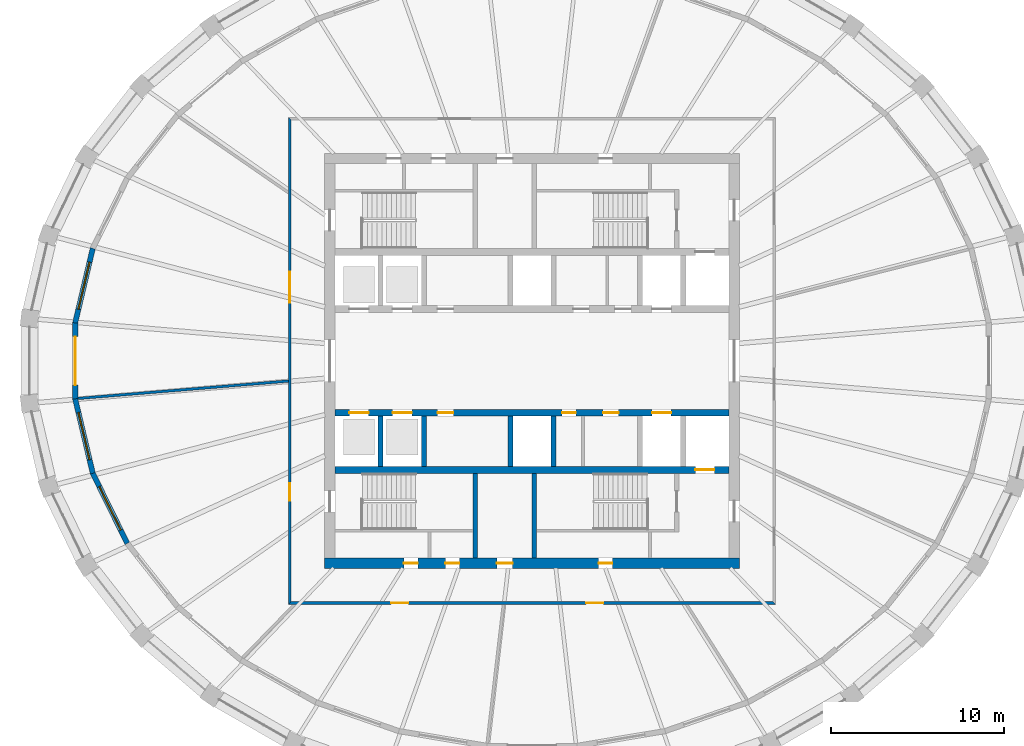
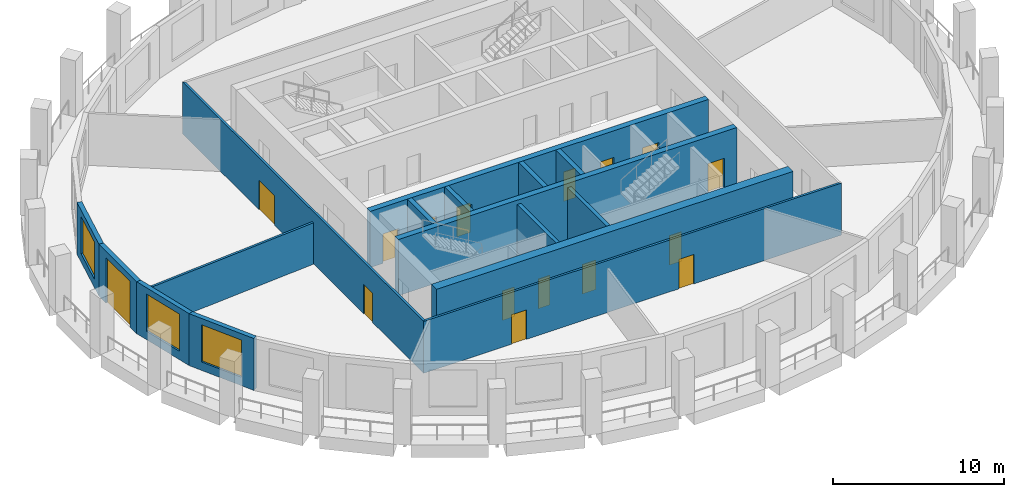
# One storey, part 3 of 10: 16 doors, 16 walls, 3 windows, 19 openings.
"""IFC4 building model written with IfcOpenShell, lengths in metres."""

from ifc_helpers import new_model, si_unit, direction, frame, frame_2d, origin, place, context, subcontext, project, spatial, polyline, rectangle, outline, extrude, material, layer, layer_set, type_object, element, fill, save


model = new_model("IFC4")

# Units and contexts
model_context = context("Model", 3, precision=1e-05, world=origin(), true_north=direction((0.0, 1.0)))
body_context = subcontext(model_context, "Body", "Model", "MODEL_VIEW")
ifc_project = project(units=[si_unit("LENGTHUNIT", "METRE"), si_unit("AREAUNIT", "SQUARE_METRE"), si_unit("VOLUMEUNIT", "CUBIC_METRE"), si_unit("PLANEANGLEUNIT", "RADIAN"), si_unit("MASSUNIT", "GRAM", prefix="KILO")], contexts=[model_context])

# Site, building, storey
site_placement = place(None, origin())
site = spatial("IfcSite", under=ifc_project, at=site_placement, CompositionType="ELEMENT")
building_placement = place(site_placement, origin())
building = spatial("IfcBuilding", under=site, at=building_placement, Name="Halqa Exchange Tower", CompositionType="ELEMENT")
storey_placement = place(building_placement, frame((0.0, 0.0, 296.300048828125)))
storey = spatial("IfcBuildingStorey", under=building, at=storey_placement, Name="L69", CompositionType="ELEMENT", Elevation=296.300048828125)

# Wall, openings, doors
ifc_material_1 = material(Name="Fire-rated gypsum board")
ifc_layer_1 = layer(ifc_material_1, 0.14990234375)
ifc_layer_set_1 = layer_set([ifc_layer_1], Name="Fire-rated gypsum board")
wall_type_1 = type_object("IfcWallType", Name="Fire partition EI 60 150", PredefinedType="PARTITIONING", material=ifc_layer_set_1)
wall_1_placement = place(storey_placement, frame((-14.0, -14.074951171875, 0.0), z_axis=(0.0, 0.0, 1.0), x_axis=(0.0, 1.0, 0.0)))
wall_1 = element("IfcWall", 1, at=wall_1_placement, inside=storey, type_object=wall_type_1, Name="L69-PWL-002", PredefinedType="PARTITIONING", context=body_context, shape_type="SweptSolid", body=[
    extrude(outline(polyline([(0.14990234375, -0.074951171875), (2.13916015625, -0.074951171875), (4.12841796875, -0.074951171875), (6.11767578125, -0.074951171875), (8.107177734375, -0.074951171875), (10.096435546875, -0.074951171875), (12.085693359375, -0.074951171875), (14.074951171875, -0.074951171875), (16.064208984375, -0.074951171875), (18.053466796875, -0.074951171875), (20.042724609375, -0.074951171875), (22.0322265625, -0.074951171875), (24.021484375, -0.074951171875), (26.0107421875, -0.074951171875), (28.0, -0.074951171875), (28.14990234375, 0.074951171875), (26.273193359375, 0.074951171875), (24.396484375, 0.074951171875), (22.52001953125, 0.074951171875), (20.643310546875, 0.074951171875), (18.7666015625, 0.074951171875), (16.889892578125, 0.074951171875), (15.01318359375, 0.074951171875), (13.13671875, 0.074951171875), (11.260009765625, 0.074951171875), (9.38330078125, 0.074951171875), (7.506591796875, 0.074951171875), (5.6298828125, 0.074951171875), (3.75341796875, 0.074951171875), (1.876708984375, 0.074951171875), (0.0, 0.074951171875), (0.14990234375, -0.074951171875)])), origin(), (0.0, 0.0, 1.0), 3.699951171875),
])
opening_1_placement = place(wall_1_placement, frame((17.429931640625, 0.0, 0.0)))
opening_1 = element("IfcOpeningElement", 2, at=opening_1_placement, cuts=wall_1, Name="Opening 21-01", PredefinedType="OPENING", context=body_context, shape_type="SweptSolid", body=[
    extrude(rectangle(XDim=1.800048828125, YDim=2.10009765625, at=frame_2d((0.89990234375, 1.050048828125))), frame((0.0, 0.0869140625, 0.0), z_axis=(0.0, -1.0, 0.0), x_axis=(1.0, 0.0, 0.0)), (0.0, 0.0, 1.0), 0.173828125),
])
opening_2_placement = place(wall_1_placement, frame((5.9951171875, 0.0, 0.0)))
opening_2 = element("IfcOpeningElement", 3, at=opening_2_placement, cuts=wall_1, Name="Opening 21-02", PredefinedType="OPENING", context=body_context, shape_type="SweptSolid", body=[
    extrude(rectangle(XDim=1.0, YDim=2.10009765625, at=frame_2d((0.5, 1.050048828125))), frame((0.0, 0.0869140625, 0.0), z_axis=(0.0, -1.0, 0.0), x_axis=(1.0, 0.0, 0.0)), (0.0, 0.0, 1.0), 0.173828125),
])
ifc_material_2 = material(Name="Steel fire door leaf", Category="steel")
door_type_1 = type_object("IfcDoorType", Name="Fire door FD30S 1000 x 2100", OperationType="SINGLE_SWING_LEFT", PredefinedType="DOOR", material=ifc_material_2)
door_1_placement = place(opening_2_placement, origin())
door_1 = element("IfcDoor", 4, at=door_1_placement, inside=storey, type_object=door_type_1, Name="L69-IDR-002", OperationType="SINGLE_SWING_LEFT", OverallHeight=2.10009765625, OverallWidth=1.0, PredefinedType="DOOR", context=body_context, shape_type="SweptSolid", body=[
    extrude(rectangle(XDim=1.0, YDim=2.10009765625, at=frame_2d((0.5, 1.050048828125))), frame((0.0, 0.02490234375, 0.0), z_axis=(0.0, -1.0, 0.0), x_axis=(1.0, 0.0, 0.0)), (0.0, 0.0, 1.0), 0.050048828125),
])
fill(opening_2, door_1)
door_type_2 = type_object("IfcDoorType", Name="Fire door FD30S double 1800 x 2100", OperationType="DOUBLE_DOOR_SINGLE_SWING", PredefinedType="DOOR", material=ifc_material_2)
door_2_placement = place(opening_1_placement, origin())
door_2 = element("IfcDoor", 5, at=door_2_placement, inside=storey, type_object=door_type_2, Name="L69-IDR-001", OperationType="DOUBLE_DOOR_SINGLE_SWING", OverallHeight=2.10009765625, OverallWidth=1.800048828125, PredefinedType="DOOR", context=body_context, shape_type="SweptSolid", body=[
    extrude(rectangle(XDim=1.800048828125, YDim=2.10009765625, at=frame_2d((0.89990234375, 1.050048828125))), frame((0.0, 0.02490234375, 0.0), z_axis=(0.0, -1.0, 0.0), x_axis=(1.0, 0.0, 0.0)), (0.0, 0.0, 1.0), 0.050048828125),
])
fill(opening_1, door_2)

wall_2_placement = place(storey_placement, frame((-14.074951171875, -14.0, 0.0), z_axis=(0.0, 0.0, 1.0), x_axis=(1.0, 0.0, 0.0)))
wall_2 = element("IfcWall", 6, at=wall_2_placement, inside=storey, type_object=wall_type_1, Name="L69-PWL-003", PredefinedType="PARTITIONING", context=body_context, shape_type="SweptSolid", body=[
    extrude(outline(polyline([(0.0, -0.074951171875), (1.876708984375, -0.074951171875), (3.75341796875, -0.074951171875), (5.6298828125, -0.074951171875), (7.506591796875, -0.074951171875), (9.38330078125, -0.074951171875), (11.260009765625, -0.074951171875), (13.13671875, -0.074951171875), (15.01318359375, -0.074951171875), (16.889892578125, -0.074951171875), (18.7666015625, -0.074951171875), (20.643310546875, -0.074951171875), (22.52001953125, -0.074951171875), (24.396484375, -0.074951171875), (26.273193359375, -0.074951171875), (28.14990234375, -0.074951171875), (28.0, 0.074951171875), (26.0107421875, 0.074951171875), (24.021484375, 0.074951171875), (22.0322265625, 0.074951171875), (20.042724609375, 0.074951171875), (18.053466796875, 0.074951171875), (16.064208984375, 0.074951171875), (14.074951171875, 0.074951171875), (12.085693359375, 0.074951171875), (10.096435546875, 0.074951171875), (8.107177734375, 0.074951171875), (6.11767578125, 0.074951171875), (4.12841796875, 0.074951171875), (2.13916015625, 0.074951171875), (0.14990234375, 0.074951171875), (0.0, -0.074951171875)])), origin(), (0.0, 0.0, 1.0), 3.699951171875),
])
opening_3_placement = place(wall_2_placement, frame((5.929931640625, 0.0, 0.0)))
opening_3 = element("IfcOpeningElement", 7, at=opening_3_placement, cuts=wall_2, Name="Opening 21-03", PredefinedType="OPENING", context=body_context, shape_type="SweptSolid", body=[
    extrude(rectangle(XDim=1.0, YDim=2.10009765625, at=frame_2d((0.5, 1.050048828125))), frame((0.0, 0.0869140625, 0.0), z_axis=(0.0, -1.0, 0.0), x_axis=(1.0, 0.0, 0.0)), (0.0, 0.0, 1.0), 0.173828125),
])
opening_4_placement = place(wall_2_placement, frame((17.199951171875, 0.0, 0.0)))
opening_4 = element("IfcOpeningElement", 8, at=opening_4_placement, cuts=wall_2, Name="Opening 21-04", PredefinedType="OPENING", context=body_context, shape_type="SweptSolid", body=[
    extrude(rectangle(XDim=1.0, YDim=2.10009765625, at=frame_2d((0.5, 1.050048828125))), frame((0.0, 0.0869140625, 0.0), z_axis=(0.0, -1.0, 0.0), x_axis=(1.0, 0.0, 0.0)), (0.0, 0.0, 1.0), 0.173828125),
])
door_3_placement = place(opening_3_placement, frame((1.0, 0.0, 0.0), z_axis=(0.0, 0.0, 1.0), x_axis=(-1.0, 0.0, 0.0)))
door_3 = element("IfcDoor", 9, at=door_3_placement, inside=storey, type_object=door_type_1, Name="L69-IDR-003", OperationType="SINGLE_SWING_RIGHT", OverallHeight=2.10009765625, OverallWidth=1.0, PredefinedType="DOOR", context=body_context, shape_type="SweptSolid", body=[
    extrude(rectangle(XDim=1.0, YDim=2.10009765625, at=frame_2d((0.5, 1.050048828125))), frame((0.0, 0.02490234375, 0.0), z_axis=(0.0, -1.0, 0.0), x_axis=(1.0, 0.0, 0.0)), (0.0, 0.0, 1.0), 0.050048828125),
])
fill(opening_3, door_3)
door_4_placement = place(opening_4_placement, frame((1.0, 0.0, 0.0), z_axis=(0.0, 0.0, 1.0), x_axis=(-1.0, 0.0, 0.0)))
door_4 = element("IfcDoor", 10, at=door_4_placement, inside=storey, type_object=door_type_1, Name="L69-IDR-004", OperationType="SINGLE_SWING_LEFT", OverallHeight=2.10009765625, OverallWidth=1.0, PredefinedType="DOOR", context=body_context, shape_type="SweptSolid", body=[
    extrude(rectangle(XDim=1.0, YDim=2.10009765625, at=frame_2d((0.5, 1.050048828125))), frame((0.0, 0.02490234375, 0.0), z_axis=(0.0, -1.0, 0.0), x_axis=(1.0, 0.0, 0.0)), (0.0, 0.0, 1.0), 0.050048828125),
])
fill(opening_4, door_4)

# Walls
wall_3_placement = place(storey_placement, frame((-14.0693359375, -1.165771484375, 0.0), z_axis=(0.0, 0.0, 1.0), x_axis=(-0.99659010846, -0.082511549014, 0.0)))
element("IfcWall", 11, at=wall_3_placement, inside=storey, type_object=wall_type_1, Name="L69-PWL-004", PredefinedType="PARTITIONING", context=body_context, shape_type="SweptSolid", body=[
    extrude(outline(polyline([(12.22314453125, -0.074951171875), (12.22314453125, 0.046630859375), (12.218994140625, 0.074951171875), (10.47509765625, 0.074951171875), (8.731201171875, 0.074951171875), (6.9873046875, 0.074951171875), (5.243408203125, 0.074951171875), (3.49951171875, 0.074951171875), (1.755859375, 0.074951171875), (0.011962890625, 0.074951171875), (0.0, -0.068603515625), (0.0, -0.074951171875), (1.74609375, -0.074951171875), (3.492431640625, -0.074951171875), (5.238525390625, -0.074951171875), (6.984619140625, -0.074951171875), (8.730712890625, -0.074951171875), (10.47705078125, -0.074951171875), (12.22314453125, -0.074951171875)])), origin(), (0.0, 0.0, 1.0), 2.947021484375),
])
ifc_material_3 = material(Name="Concrete C60/75", Category="concrete")
ifc_layer_2 = layer(ifc_material_3, 0.300048828125)
ifc_layer_set_2 = layer_set([ifc_layer_2], Name="Concrete C60/75")
wall_type_2 = type_object("IfcWallType", Name="RC core wall 300", PredefinedType="SHEAR", material=ifc_layer_set_2)
for number, where, z_axis, x_axis, name in (
    (12, (-8.75, -6.10009765625, 0.0), (0.0, 0.0, 1.0), (0.0, 1.0, 0.0), "Shaft divider S1"),
    (13, (-6.25, -6.10009765625, 0.0), (0.0, 0.0, 1.0), (0.0, 1.0, 0.0), "Shaft divider S2"),
    (14, (-1.25, -6.10009765625, 0.0), (0.0, 0.0, 1.0), (0.0, 1.0, 0.0), "Shaft divider S4"),
    (15, (1.25, -6.10009765625, 0.0), (0.0, 0.0, 1.0), (0.0, 1.0, 0.0), "Shaft divider S5"),
):
    element("IfcWall", number, at=place(storey_placement, frame(where, z_axis=z_axis, x_axis=x_axis)), inside=storey, type_object=wall_type_2, Name=name, PredefinedType="SHEAR", context=body_context, shape_type="SweptSolid", body=[
        extrude(rectangle(XDim=2.900146484375, YDim=0.300048828125, at=frame_2d((1.4501953125, 0.0))), origin(), (0.0, 0.0, 1.0), 4.0),
    ])

# Wall, openings, doors
ifc_layer_3 = layer(ifc_material_3, 0.39990234375)
ifc_layer_set_3 = layer_set([ifc_layer_3], Name="Concrete C60/75")
wall_type_3 = type_object("IfcWallType", Name="RC core wall 400 C60/75", PredefinedType="SHEAR", material=ifc_layer_set_3)
wall_4_placement = place(storey_placement, frame((-11.39990234375, -3.0, 0.0), z_axis=(0.0, 0.0, 1.0), x_axis=(1.0, 0.0, 0.0)))
wall_4 = element("IfcWall", 16, at=wall_4_placement, inside=storey, type_object=wall_type_3, Name="Lift row front wall S", PredefinedType="SHEAR", context=body_context, shape_type="SweptSolid", body=[
    extrude(rectangle(XDim=22.7998046875, YDim=0.39990234375, at=frame_2d((11.39990234375, 0.0))), origin(), (0.0, 0.0, 1.0), 4.0),
])
opening_5_placement = place(wall_4_placement, frame((0.85009765625, 0.0, 0.0)))
opening_5 = element("IfcOpeningElement", 17, at=opening_5_placement, cuts=wall_4, Name="Opening LD-HR3-T21", PredefinedType="OPENING", context=body_context, shape_type="SweptSolid", body=[
    extrude(rectangle(XDim=1.10009765625, YDim=2.10009765625, at=frame_2d((0.550048828125, 1.050048828125))), frame((0.0, 0.2119140625, 0.0), z_axis=(0.0, -1.0, 0.0), x_axis=(1.0, 0.0, 0.0)), (0.0, 0.0, 1.0), 0.423828125),
])
opening_6_placement = place(wall_4_placement, frame((3.35009765625, 0.0, 0.0)))
opening_6 = element("IfcOpeningElement", 18, at=opening_6_placement, cuts=wall_4, Name="Opening LD-HR4-T21", PredefinedType="OPENING", context=body_context, shape_type="SweptSolid", body=[
    extrude(rectangle(XDim=1.10009765625, YDim=2.10009765625, at=frame_2d((0.550048828125, 1.050048828125))), frame((0.0, 0.2119140625, 0.0), z_axis=(0.0, -1.0, 0.0), x_axis=(1.0, 0.0, 0.0)), (0.0, 0.0, 1.0), 0.423828125),
])
opening_7_placement = place(wall_4_placement, frame((18.35009765625, 0.0, 0.0)))
opening_7 = element("IfcOpeningElement", 19, at=opening_7_placement, cuts=wall_4, Name="Opening LD-SV2-T21", PredefinedType="OPENING", context=body_context, shape_type="SweptSolid", body=[
    extrude(rectangle(XDim=1.10009765625, YDim=2.10009765625, at=frame_2d((0.550048828125, 1.050048828125))), frame((0.0, 0.2119140625, 0.0), z_axis=(0.0, -1.0, 0.0), x_axis=(1.0, 0.0, 0.0)), (0.0, 0.0, 1.0), 0.423828125),
])
opening_8_placement = place(wall_4_placement, frame((13.137451171875, 0.0, 0.0)))
opening_8 = element("IfcOpeningElement", 20, at=opening_8_placement, cuts=wall_4, Name="Opening T21-C28", PredefinedType="OPENING", context=body_context, shape_type="SweptSolid", body=[
    extrude(rectangle(XDim=0.800048828125, YDim=2.10009765625, at=frame_2d((0.39990234375, 1.050048828125))), frame((0.0, 0.2119140625, 0.0), z_axis=(0.0, -1.0, 0.0), x_axis=(1.0, 0.0, 0.0)), (0.0, 0.0, 1.0), 0.423828125),
])
opening_9_placement = place(wall_4_placement, frame((15.512451171875, 0.0, 0.0)))
opening_9 = element("IfcOpeningElement", 21, at=opening_9_placement, cuts=wall_4, Name="Opening T21-C29", PredefinedType="OPENING", context=body_context, shape_type="SweptSolid", body=[
    extrude(rectangle(XDim=0.89990234375, YDim=2.10009765625, at=frame_2d((0.449951171875, 1.050048828125))), frame((0.0, 0.2119140625, 0.0), z_axis=(0.0, -1.0, 0.0), x_axis=(1.0, 0.0, 0.0)), (0.0, 0.0, 1.0), 0.423828125),
])
opening_10_placement = place(wall_4_placement, frame((5.949951171875, 0.0, 0.0)))
opening_10 = element("IfcOpeningElement", 22, at=opening_10_placement, cuts=wall_4, Name="Opening T21-C30", PredefinedType="OPENING", context=body_context, shape_type="SweptSolid", body=[
    extrude(rectangle(XDim=0.89990234375, YDim=2.10009765625, at=frame_2d((0.449951171875, 1.050048828125))), frame((0.0, 0.2119140625, 0.0), z_axis=(0.0, -1.0, 0.0), x_axis=(1.0, 0.0, 0.0)), (0.0, 0.0, 1.0), 0.423828125),
])
ifc_material_4 = material(Name="Timber fire door leaf", Category="wood")
door_type_3 = type_object("IfcDoorType", Name="Core room door FD30 900 x 2100", OperationType="SINGLE_SWING_LEFT", PredefinedType="DOOR", material=ifc_material_4)
door_5_placement = place(opening_9_placement, frame((0.89990234375, 0.0, 0.0), z_axis=(0.0, 0.0, 1.0), x_axis=(-1.0, 0.0, 0.0)))
door_5 = element("IfcDoor", 23, at=door_5_placement, inside=storey, type_object=door_type_3, Name="Core room door", OperationType="SINGLE_SWING_RIGHT", OverallHeight=2.10009765625, OverallWidth=0.89990234375, PredefinedType="DOOR", context=body_context, shape_type="SweptSolid", body=[
    extrude(rectangle(XDim=0.89990234375, YDim=2.10009765625, at=frame_2d((0.449951171875, 1.050048828125))), frame((0.0, 0.02490234375, 0.0), z_axis=(0.0, -1.0, 0.0), x_axis=(1.0, 0.0, 0.0)), (0.0, 0.0, 1.0), 0.050048828125),
])
fill(opening_9, door_5)
door_6_placement = place(opening_10_placement, frame((0.89990234375, 0.0, 0.0), z_axis=(0.0, 0.0, 1.0), x_axis=(-1.0, 0.0, 0.0)))
door_6 = element("IfcDoor", 24, at=door_6_placement, inside=storey, type_object=door_type_3, Name="Core room door", OperationType="SINGLE_SWING_LEFT", OverallHeight=2.10009765625, OverallWidth=0.89990234375, PredefinedType="DOOR", context=body_context, shape_type="SweptSolid", body=[
    extrude(rectangle(XDim=0.89990234375, YDim=2.10009765625, at=frame_2d((0.449951171875, 1.050048828125))), frame((0.0, 0.02490234375, 0.0), z_axis=(0.0, -1.0, 0.0), x_axis=(1.0, 0.0, 0.0)), (0.0, 0.0, 1.0), 0.050048828125),
])
fill(opening_10, door_6)
ifc_material_5 = material(Name="Stainless steel", Category="steel")
door_type_4 = type_object("IfcDoorType", Name="Lift landing door 1100 x 2100", OperationType="SLIDING_TO_LEFT", PredefinedType="DOOR", material=ifc_material_5)
door_7_placement = place(opening_5_placement, origin())
door_7 = element("IfcDoor", 25, at=door_7_placement, inside=storey, type_object=door_type_4, Name="Lift landing door HR3", OperationType="SLIDING_TO_LEFT", OverallHeight=2.10009765625, OverallWidth=1.10009765625, PredefinedType="DOOR", context=body_context, shape_type="SweptSolid", body=[
    extrude(rectangle(XDim=1.10009765625, YDim=2.10009765625, at=frame_2d((0.550048828125, 1.050048828125))), frame((0.0, 0.02490234375, 0.0), z_axis=(0.0, -1.0, 0.0), x_axis=(1.0, 0.0, 0.0)), (0.0, 0.0, 1.0), 0.050048828125),
])
fill(opening_5, door_7)
door_8_placement = place(opening_6_placement, origin())
door_8 = element("IfcDoor", 26, at=door_8_placement, inside=storey, type_object=door_type_4, Name="Lift landing door HR4", OperationType="SLIDING_TO_LEFT", OverallHeight=2.10009765625, OverallWidth=1.10009765625, PredefinedType="DOOR", context=body_context, shape_type="SweptSolid", body=[
    extrude(rectangle(XDim=1.10009765625, YDim=2.10009765625, at=frame_2d((0.550048828125, 1.050048828125))), frame((0.0, 0.02490234375, 0.0), z_axis=(0.0, -1.0, 0.0), x_axis=(1.0, 0.0, 0.0)), (0.0, 0.0, 1.0), 0.050048828125),
])
fill(opening_6, door_8)
door_9_placement = place(opening_7_placement, origin())
door_9 = element("IfcDoor", 27, at=door_9_placement, inside=storey, type_object=door_type_4, Name="Lift landing door SV2", OperationType="SLIDING_TO_LEFT", OverallHeight=2.10009765625, OverallWidth=1.10009765625, PredefinedType="DOOR", context=body_context, shape_type="SweptSolid", body=[
    extrude(rectangle(XDim=1.10009765625, YDim=2.10009765625, at=frame_2d((0.550048828125, 1.050048828125))), frame((0.0, 0.02490234375, 0.0), z_axis=(0.0, -1.0, 0.0), x_axis=(1.0, 0.0, 0.0)), (0.0, 0.0, 1.0), 0.050048828125),
])
fill(opening_7, door_9)
door_type_5 = type_object("IfcDoorType", Name="Riser door FD60 800 x 2100", OperationType="SINGLE_SWING_LEFT", PredefinedType="DOOR", material=ifc_material_2)
door_10_placement = place(opening_8_placement, frame((0.800048828125, 0.0, 0.0), z_axis=(0.0, 0.0, 1.0), x_axis=(-1.0, 0.0, 0.0)))
door_10 = element("IfcDoor", 28, at=door_10_placement, inside=storey, type_object=door_type_5, Name="Core room door", OperationType="SINGLE_SWING_RIGHT", OverallHeight=2.10009765625, OverallWidth=0.800048828125, PredefinedType="DOOR", context=body_context, shape_type="SweptSolid", body=[
    extrude(rectangle(XDim=0.800048828125, YDim=2.10009765625, at=frame_2d((0.39990234375, 1.050048828125))), frame((0.0, 0.02490234375, 0.0), z_axis=(0.0, -1.0, 0.0), x_axis=(1.0, 0.0, 0.0)), (0.0, 0.0, 1.0), 0.050048828125),
])
fill(opening_8, door_10)

# Wall, opening, door
wall_5_placement = place(storey_placement, frame((-11.39990234375, -6.300048828125, 0.0), z_axis=(0.0, 0.0, 1.0), x_axis=(1.0, 0.0, 0.0)))
wall_5 = element("IfcWall", 29, at=wall_5_placement, inside=storey, type_object=wall_type_3, Name="Lift row back wall S", PredefinedType="SHEAR", context=body_context, shape_type="SweptSolid", body=[
    extrude(rectangle(XDim=22.7998046875, YDim=0.39990234375, at=frame_2d((11.39990234375, 0.0))), origin(), (0.0, 0.0, 1.0), 4.0),
])
opening_11_placement = place(wall_5_placement, frame((20.85009765625, 0.0, 0.0)))
opening_11 = element("IfcOpeningElement", 30, at=opening_11_placement, cuts=wall_5, Name="Opening LD-FF2-T21", PredefinedType="OPENING", context=body_context, shape_type="SweptSolid", body=[
    extrude(rectangle(XDim=1.10009765625, YDim=2.10009765625, at=frame_2d((0.550048828125, 1.050048828125))), frame((0.0, 0.2119140625, 0.0), z_axis=(0.0, -1.0, 0.0), x_axis=(1.0, 0.0, 0.0)), (0.0, 0.0, 1.0), 0.423828125),
])
door_11_placement = place(opening_11_placement, origin())
door_11 = element("IfcDoor", 31, at=door_11_placement, inside=storey, type_object=door_type_4, Name="Lift landing door FF2", OperationType="SLIDING_TO_LEFT", OverallHeight=2.10009765625, OverallWidth=1.10009765625, PredefinedType="DOOR", context=body_context, shape_type="SweptSolid", body=[
    extrude(rectangle(XDim=1.10009765625, YDim=2.10009765625, at=frame_2d((0.550048828125, 1.050048828125))), frame((0.0, 0.02490234375, 0.0), z_axis=(0.0, -1.0, 0.0), x_axis=(1.0, 0.0, 0.0)), (0.0, 0.0, 1.0), 0.050048828125),
])
fill(opening_11, door_11)

# Wall, openings, doors
ifc_layer_4 = layer(ifc_material_3, 0.60009765625)
ifc_layer_set_4 = layer_set([ifc_layer_4], Name="Concrete C60/75")
wall_type_4 = type_object("IfcWallType", Name="RC core wall 600 C60/75", PredefinedType="SHEAR", material=ifc_layer_set_4)
wall_6_placement = place(storey_placement, frame((-12.0, -11.699951171875, 0.0), z_axis=(0.0, 0.0, 1.0), x_axis=(1.0, 0.0, 0.0)))
wall_6 = element("IfcWall", 32, at=wall_6_placement, inside=storey, type_object=wall_type_4, Name="Core wall south", PredefinedType="SHEAR", context=body_context, shape_type="SweptSolid", body=[
    extrude(rectangle(XDim=24.0, YDim=0.60009765625, at=frame_2d((12.0, 0.0))), origin(), (0.0, 0.0, 1.0), 4.0),
])
opening_12_placement = place(wall_6_placement, frame((9.97509765625, 0.0, 0.0)))
opening_12 = element("IfcOpeningElement", 33, at=opening_12_placement, cuts=wall_6, Name="Opening T21-C21", PredefinedType="OPENING", context=body_context, shape_type="SweptSolid", body=[
    extrude(rectangle(XDim=0.89990234375, YDim=2.10009765625, at=frame_2d((0.449951171875, 1.050048828125))), frame((0.0, 0.31201171875, 0.0), z_axis=(0.0, -1.0, 0.0), x_axis=(1.0, 0.0, 0.0)), (0.0, 0.0, 1.0), 0.6240234375),
])
opening_13_placement = place(wall_6_placement, frame((4.60009765625, 0.0, 0.0)))
opening_13 = element("IfcOpeningElement", 34, at=opening_13_placement, cuts=wall_6, Name="Opening T21-C22", PredefinedType="OPENING", context=body_context, shape_type="SweptSolid", body=[
    extrude(rectangle(XDim=0.800048828125, YDim=2.10009765625, at=frame_2d((0.39990234375, 1.050048828125))), frame((0.0, 0.31201171875, 0.0), z_axis=(0.0, -1.0, 0.0), x_axis=(1.0, 0.0, 0.0)), (0.0, 0.0, 1.0), 0.6240234375),
])
opening_14_placement = place(wall_6_placement, frame((7.0, 0.0, 0.0)))
opening_14 = element("IfcOpeningElement", 35, at=opening_14_placement, cuts=wall_6, Name="Opening T21-C23", PredefinedType="OPENING", context=body_context, shape_type="SweptSolid", body=[
    extrude(rectangle(XDim=0.800048828125, YDim=2.10009765625, at=frame_2d((0.39990234375, 1.050048828125))), frame((0.0, 0.31201171875, 0.0), z_axis=(0.0, -1.0, 0.0), x_axis=(1.0, 0.0, 0.0)), (0.0, 0.0, 1.0), 0.6240234375),
])
opening_15_placement = place(wall_6_placement, frame((15.85009765625, 0.0, 0.0)))
opening_15 = element("IfcOpeningElement", 36, at=opening_15_placement, cuts=wall_6, Name="Opening T21-C24", PredefinedType="OPENING", context=body_context, shape_type="SweptSolid", body=[
    extrude(rectangle(XDim=0.800048828125, YDim=2.10009765625, at=frame_2d((0.39990234375, 1.050048828125))), frame((0.0, 0.31201171875, 0.0), z_axis=(0.0, -1.0, 0.0), x_axis=(1.0, 0.0, 0.0)), (0.0, 0.0, 1.0), 0.6240234375),
])
door_12_placement = place(opening_12_placement, origin())
door_12 = element("IfcDoor", 37, at=door_12_placement, inside=storey, type_object=door_type_3, Name="Core room door", OperationType="SINGLE_SWING_LEFT", OverallHeight=2.10009765625, OverallWidth=0.89990234375, PredefinedType="DOOR", context=body_context, shape_type="SweptSolid", body=[
    extrude(rectangle(XDim=0.89990234375, YDim=2.10009765625, at=frame_2d((0.449951171875, 1.050048828125))), frame((0.0, 0.02490234375, 0.0), z_axis=(0.0, -1.0, 0.0), x_axis=(1.0, 0.0, 0.0)), (0.0, 0.0, 1.0), 0.050048828125),
])
fill(opening_12, door_12)
door_13_placement = place(opening_13_placement, origin())
door_13 = element("IfcDoor", 38, at=door_13_placement, inside=storey, type_object=door_type_5, Name="Core room door", OperationType="SINGLE_SWING_LEFT", OverallHeight=2.10009765625, OverallWidth=0.800048828125, PredefinedType="DOOR", context=body_context, shape_type="SweptSolid", body=[
    extrude(rectangle(XDim=0.800048828125, YDim=2.10009765625, at=frame_2d((0.39990234375, 1.050048828125))), frame((0.0, 0.02490234375, 0.0), z_axis=(0.0, -1.0, 0.0), x_axis=(1.0, 0.0, 0.0)), (0.0, 0.0, 1.0), 0.050048828125),
])
fill(opening_13, door_13)
door_14_placement = place(opening_14_placement, origin())
door_14 = element("IfcDoor", 39, at=door_14_placement, inside=storey, type_object=door_type_5, Name="Core room door", OperationType="SINGLE_SWING_LEFT", OverallHeight=2.10009765625, OverallWidth=0.800048828125, PredefinedType="DOOR", context=body_context, shape_type="SweptSolid", body=[
    extrude(rectangle(XDim=0.800048828125, YDim=2.10009765625, at=frame_2d((0.39990234375, 1.050048828125))), frame((0.0, 0.02490234375, 0.0), z_axis=(0.0, -1.0, 0.0), x_axis=(1.0, 0.0, 0.0)), (0.0, 0.0, 1.0), 0.050048828125),
])
fill(opening_14, door_14)
door_15_placement = place(opening_15_placement, origin())
door_15 = element("IfcDoor", 40, at=door_15_placement, inside=storey, type_object=door_type_5, Name="Core room door", OperationType="SINGLE_SWING_LEFT", OverallHeight=2.10009765625, OverallWidth=0.800048828125, PredefinedType="DOOR", context=body_context, shape_type="SweptSolid", body=[
    extrude(rectangle(XDim=0.800048828125, YDim=2.10009765625, at=frame_2d((0.39990234375, 1.050048828125))), frame((0.0, 0.02490234375, 0.0), z_axis=(0.0, -1.0, 0.0), x_axis=(1.0, 0.0, 0.0)), (0.0, 0.0, 1.0), 0.050048828125),
])
fill(opening_15, door_15)

# Walls
ifc_material_6 = material(Name="Concrete C30/37", Category="concrete")
ifc_layer_5 = layer(ifc_material_6, 0.25)
ifc_layer_set_5 = layer_set([ifc_layer_5], Name="Concrete C30/37")
wall_type_5 = type_object("IfcWallType", Name="RC stair wall 250 C30/37", PredefinedType="SHEAR", material=ifc_layer_set_5)
for number, where, z_axis, x_axis, name in (
    (41, (-3.27490234375, -11.39990234375, 0.0), (0.0, 0.0, 1.0), (0.0, 1.0, 0.0), "Stair ST1 east wall S"),
    (42, (0.125, -11.39990234375, 0.0), (0.0, 0.0, 1.0), (0.0, 1.0, 0.0), "Stair ST2 west wall S"),
):
    element("IfcWall", number, at=place(storey_placement, frame(where, z_axis=z_axis, x_axis=x_axis)), inside=storey, type_object=wall_type_5, Name=name, PredefinedType="SHEAR", context=body_context, shape_type="SweptSolid", body=[
        extrude(rectangle(XDim=4.89990234375, YDim=0.25, at=frame_2d((2.449951171875, 0.0))), origin(), (0.0, 0.0, 1.0), 3.699951171875),
    ])

# Wall, opening, window
ifc_material_7 = material(Name="Limestone cladding", Category="masonry")
ifc_layer_6 = layer(ifc_material_7, 0.0400390625)
ifc_material_8 = material(Name="Ventilated cavity")
ifc_layer_7 = layer(ifc_material_8, 0.030029296875, ventilated=True)
ifc_material_9 = material(Name="Mineral wool insulation")
ifc_layer_8 = layer(ifc_material_9, 0.10009765625)
ifc_layer_9 = layer(ifc_material_6, 0.10009765625)
ifc_material_10 = material(Name="Internal plaster")
ifc_layer_10 = layer(ifc_material_10, 0.030029296875)
ifc_layer_set_6 = layer_set([ifc_layer_6, ifc_layer_7, ifc_layer_8, ifc_layer_9, ifc_layer_10], Name="Stone-faced insulated wall 300")
wall_type_6 = type_object("IfcWallType", Name="Stone-faced insulated wall 300", PredefinedType="STANDARD", material=ifc_layer_set_6)
wall_7_placement = place(storey_placement, frame((-25.39013671875, 6.499755859375, 0.0), z_axis=(0.0, 0.0, 1.0), x_axis=(-0.229943714271, -0.973203929435, 0.0)))
wall_7 = element("IfcWall", 43, at=wall_7_placement, inside=storey, type_object=wall_type_6, Name="Glass-line wall 15", PredefinedType="STANDARD", context=body_context, shape_type="SweptSolid", body=[
    extrude(outline(polyline([(-0.016845703125, -0.14990234375), (4.440673828125, -0.14990234375), (4.405517578125, 0.14990234375), (0.016845703125, 0.14990234375), (-0.016845703125, -0.14990234375)])), origin(), (0.0, 0.0, 1.0), 3.699951171875),
])
opening_16_placement = place(wall_7_placement, frame((0.8115234375, 0.0, 0.60009765625)))
opening_16 = element("IfcOpeningElement", 44, at=opening_16_placement, cuts=wall_7, Name="Opening W-F4-15", PredefinedType="OPENING", context=body_context, shape_type="SweptSolid", body=[
    extrude(rectangle(XDim=2.800048828125, YDim=2.64990234375, at=frame_2d((1.39990234375, 1.324951171875))), frame((0.0, 0.162109375, 0.0), z_axis=(0.0, -1.0, 0.0), x_axis=(1.0, 0.0, 0.0)), (0.0, 0.0, 1.0), 0.323974609375),
])
ifc_material_11 = material(Name="Clear low-emissivity glass in aluminium frame", Category="aluminium")
window_type = type_object("IfcWindowType", Name="Fixed clear glazed window 2800 x 2650", PartitioningType="DOUBLE_PANEL_VERTICAL", PredefinedType="WINDOW", material=ifc_material_11)
window_1_placement = place(opening_16_placement, origin())
window_1 = element("IfcWindow", 45, at=window_1_placement, inside=storey, type_object=window_type, Name="Window 4", OverallHeight=2.64990234375, OverallWidth=2.800048828125, PartitioningType="DOUBLE_PANEL_VERTICAL", PredefinedType="WINDOW", context=body_context, shape_type="SweptSolid", body=[
    extrude(rectangle(XDim=2.800048828125, YDim=2.64990234375, at=frame_2d((1.39990234375, 1.324951171875))), frame((0.0, 0.030029296875, 0.0), z_axis=(0.0, -1.0, 0.0), x_axis=(1.0, 0.0, 0.0)), (0.0, 0.0, 1.0), 0.06005859375),
])
fill(opening_16, window_1)

# Wall, opening, door
wall_8_placement = place(storey_placement, frame((-26.4072265625, 2.195068359375, 0.0), z_axis=(0.0, 0.0, 1.0), x_axis=(0.0, -1.0, 0.0)))
wall_8 = element("IfcWall", 46, at=wall_8_placement, inside=storey, type_object=wall_type_6, Name="Glass-line wall 16", PredefinedType="STANDARD", context=body_context, shape_type="SweptSolid", body=[
    extrude(outline(polyline([(-0.017578125, -0.14990234375), (4.40771484375, -0.14990234375), (4.37255859375, 0.14990234375), (0.017578125, 0.14990234375), (-0.017578125, -0.14990234375)])), origin(), (0.0, 0.0, 1.0), 3.699951171875),
])
opening_17_placement = place(wall_8_placement, frame((0.794921875, 0.0, 0.0)))
opening_17 = element("IfcOpeningElement", 47, at=opening_17_placement, cuts=wall_8, Name="Opening LG-F4-04", PredefinedType="OPENING", context=body_context, shape_type="SweptSolid", body=[
    extrude(rectangle(XDim=2.800048828125, YDim=3.25, at=frame_2d((1.39990234375, 1.625))), frame((0.0, 0.162109375, 0.0), z_axis=(0.0, -1.0, 0.0), x_axis=(1.0, 0.0, 0.0)), (0.0, 0.0, 1.0), 0.323974609375),
])
door_type_6 = type_object("IfcDoorType", Name="Glazed sliding loggia door 2800 x 3250", OperationType="DOUBLE_DOOR_SLIDING", PredefinedType="DOOR", material=ifc_material_11)
door_16_placement = place(opening_17_placement, origin())
door_16 = element("IfcDoor", 48, at=door_16_placement, inside=storey, type_object=door_type_6, Name="Loggia door 4", OperationType="DOUBLE_DOOR_SLIDING", OverallHeight=3.25, OverallWidth=2.800048828125, PredefinedType="DOOR", context=body_context, shape_type="SweptSolid", body=[
    extrude(rectangle(XDim=2.800048828125, YDim=3.25, at=frame_2d((1.39990234375, 1.625))), frame((0.0, 0.02490234375, 0.0), z_axis=(0.0, -1.0, 0.0), x_axis=(1.0, 0.0, 0.0)), (0.0, 0.0, 1.0), 0.050048828125),
])
fill(opening_17, door_16)

# Wall, opening, window
wall_9_placement = place(storey_placement, frame((-26.4072265625, -2.195068359375, 0.0), z_axis=(0.0, 0.0, 1.0), x_axis=(0.229943714271, -0.973203929435, 0.0)))
wall_9 = element("IfcWall", 49, at=wall_9_placement, inside=storey, type_object=wall_type_6, Name="Glass-line wall 17", PredefinedType="STANDARD", context=body_context, shape_type="SweptSolid", body=[
    extrude(outline(polyline([(-0.017578125, -0.14990234375), (4.43994140625, -0.14990234375), (4.40625, 0.14990234375), (0.017578125, 0.14990234375), (-0.017578125, -0.14990234375)])), origin(), (0.0, 0.0, 1.0), 3.699951171875),
])
opening_18_placement = place(wall_9_placement, frame((0.8115234375, 0.0, 0.60009765625)))
opening_18 = element("IfcOpeningElement", 50, at=opening_18_placement, cuts=wall_9, Name="Opening W-F4-17", PredefinedType="OPENING", context=body_context, shape_type="SweptSolid", body=[
    extrude(rectangle(XDim=2.800048828125, YDim=2.64990234375, at=frame_2d((1.39990234375, 1.324951171875))), frame((0.0, 0.162109375, 0.0), z_axis=(0.0, -1.0, 0.0), x_axis=(1.0, 0.0, 0.0)), (0.0, 0.0, 1.0), 0.323974609375),
])
window_2_placement = place(opening_18_placement, origin())
window_2 = element("IfcWindow", 51, at=window_2_placement, inside=storey, type_object=window_type, Name="Window 4", OverallHeight=2.64990234375, OverallWidth=2.800048828125, PartitioningType="DOUBLE_PANEL_VERTICAL", PredefinedType="WINDOW", context=body_context, shape_type="SweptSolid", body=[
    extrude(rectangle(XDim=2.800048828125, YDim=2.64990234375, at=frame_2d((1.39990234375, 1.324951171875))), frame((0.0, 0.030029296875, 0.0), z_axis=(0.0, -1.0, 0.0), x_axis=(1.0, 0.0, 0.0)), (0.0, 0.0, 1.0), 0.06005859375),
])
fill(opening_18, window_2)

wall_10_placement = place(storey_placement, frame((-25.39013671875, -6.499755859375, 0.0), z_axis=(0.0, 0.0, 1.0), x_axis=(0.441431671743, -0.897294867467, 0.0)))
wall_10 = element("IfcWall", 52, at=wall_10_placement, inside=storey, type_object=wall_type_6, Name="Glass-line wall 18", PredefinedType="STANDARD", context=body_context, shape_type="SweptSolid", body=[
    extrude(outline(polyline([(-0.016845703125, -0.14990234375), (4.532958984375, -0.14990234375), (4.500732421875, 0.14990234375), (0.016845703125, 0.14990234375), (-0.016845703125, -0.14990234375)])), origin(), (0.0, 0.0, 1.0), 3.699951171875),
])
opening_19_placement = place(wall_10_placement, frame((0.8583984375, 0.0, 0.60009765625)))
opening_19 = element("IfcOpeningElement", 53, at=opening_19_placement, cuts=wall_10, Name="Opening W-F4-18", PredefinedType="OPENING", context=body_context, shape_type="SweptSolid", body=[
    extrude(rectangle(XDim=2.800048828125, YDim=2.64990234375, at=frame_2d((1.39990234375, 1.324951171875))), frame((0.0, 0.162109375, 0.0), z_axis=(0.0, -1.0, 0.0), x_axis=(1.0, 0.0, 0.0)), (0.0, 0.0, 1.0), 0.323974609375),
])
window_3_placement = place(opening_19_placement, origin())
window_3 = element("IfcWindow", 54, at=window_3_placement, inside=storey, type_object=window_type, Name="Window 4", OverallHeight=2.64990234375, OverallWidth=2.800048828125, PartitioningType="DOUBLE_PANEL_VERTICAL", PredefinedType="WINDOW", context=body_context, shape_type="SweptSolid", body=[
    extrude(rectangle(XDim=2.800048828125, YDim=2.64990234375, at=frame_2d((1.39990234375, 1.324951171875))), frame((0.0, 0.030029296875, 0.0), z_axis=(0.0, -1.0, 0.0), x_axis=(1.0, 0.0, 0.0)), (0.0, 0.0, 1.0), 0.06005859375),
])
fill(opening_19, window_3)

save(model, "model.ifc")
